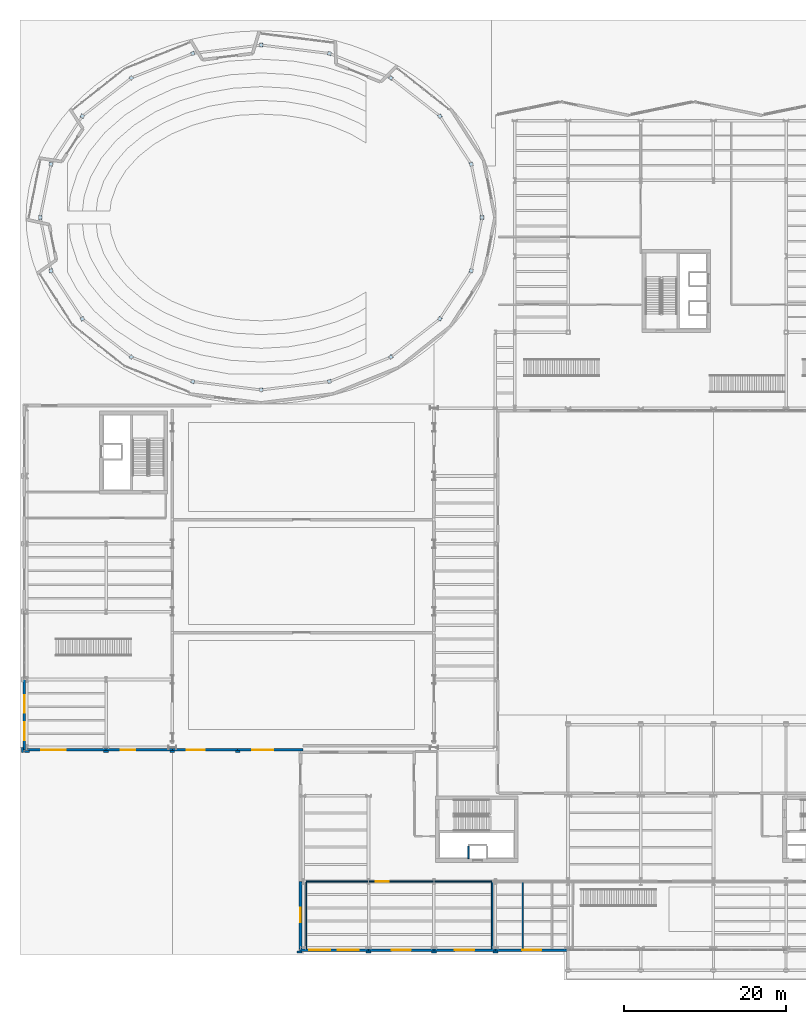
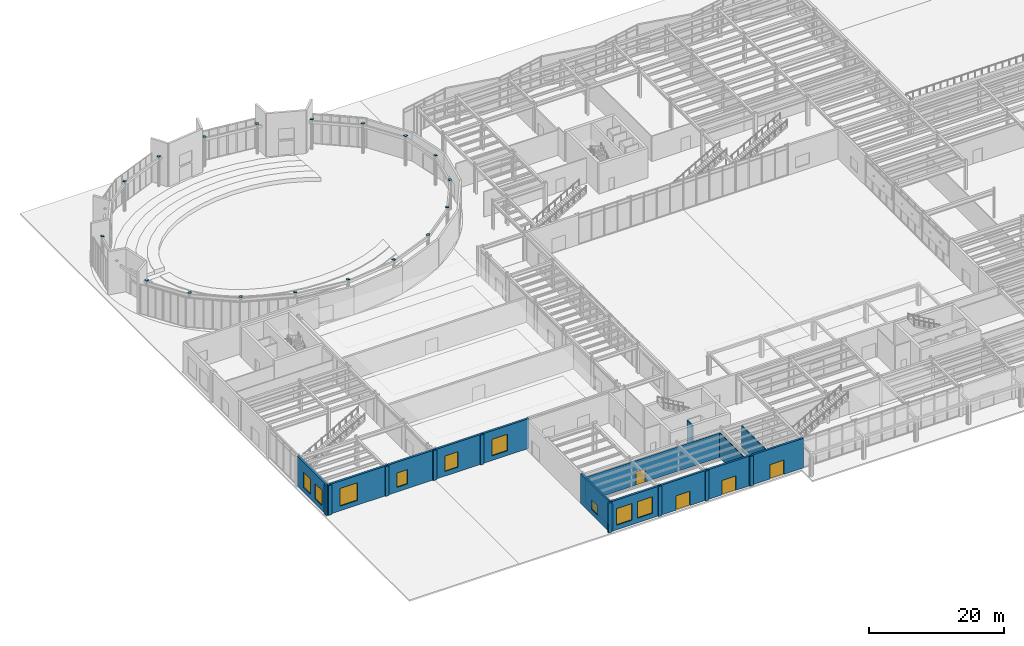
# One storey, part 70 of 94: 24 walls, 20 plates, 9 windows, 4 doors, 13 openings.
"""IFC4 building model written with IfcOpenShell, lengths in metres."""

from ifc_helpers import new_model, si_unit, direction, frame, frame_2d, origin, origin_2d, place, context, subcontext, project, spatial, rectangle, extrude, material, layer, layer_set, type_object, element, fill, save


model = new_model("IFC4")

# Units and contexts
model_context = context("Model", 3, precision=1e-05, world=origin(), true_north=direction((0.0, 1.0)))
body_context = subcontext(model_context, "Body", "Model", "MODEL_VIEW")
ifc_project = project(units=[si_unit("LENGTHUNIT", "METRE"), si_unit("AREAUNIT", "SQUARE_METRE"), si_unit("VOLUMEUNIT", "CUBIC_METRE"), si_unit("PLANEANGLEUNIT", "RADIAN"), si_unit("MASSUNIT", "GRAM", prefix="KILO")], contexts=[model_context])

# Site, building, storey
site_placement = place(None, origin())
site = spatial("IfcSite", under=ifc_project, at=site_placement, CompositionType="ELEMENT")
building_placement = place(site_placement, origin())
building = spatial("IfcBuilding", under=site, at=building_placement, Name="Sollismere Congress Hotel", CompositionType="ELEMENT")
storey_placement = place(building_placement, origin())
storey = spatial("IfcBuildingStorey", under=building, at=storey_placement, Name="L00", CompositionType="ELEMENT", Elevation=0.0)

# Plates
ifc_material_1 = material(Name="Steel ASTM A572 Grade 50", Category="steel")
ifc_layer_1 = layer(ifc_material_1, 0.02490234375, Name="Steel ASTM A572 Grade 50")
ifc_layer_set_1 = layer_set([ifc_layer_1], Name="Steel ASTM A572 Grade 50")
plate_type = type_object("IfcPlateType", Name="PL-GS25", PredefinedType="USERDEFINED", material=ifc_layer_set_1)
for number, where, z_axis, x_axis, name in (
    (1, (56.35009765625, 90.39990234375, 5.400146484375), (0.0, 0.0, 1.0), (1.0, 0.0, 0.0), "Column end cap plate CP-001"),
    (2, (55.011474609375, 96.99755859375, 5.400146484375), (0.0, 0.0, 1.0), (0.969316774365, 0.245814952628, 0.0), "Column end cap plate CP-004"),
    (3, (51.126708984375, 102.94921875, 5.400146484375), (0.0, 0.0, 1.0), (0.869839554062, 0.493334724289, 0.0), "Column end cap plate CP-007"),
    (4, (45.075927734375, 107.672607421875, 5.400146484375), (0.0, 0.0, 1.0), (0.681359873953, 0.731948578909, 0.0), "Column end cap plate CP-010"),
    (5, (37.45166015625, 110.705078125, 5.400146484375), (0.0, 0.0, 1.0), (0.38429532266, 0.923210217113, 0.0), "Column end cap plate CP-013"),
    (6, (29.0, 111.75, 5.400146484375), (0.0, 0.0, 1.0), (0.0, 1.0, 0.0), "Column end cap plate CP-016"),
    (7, (20.54833984375, 110.705078125, 5.400146484375), (0.0, 0.0, 1.0), (-0.38429532266, 0.923210217113, 0.0), "Column end cap plate CP-019"),
    (8, (12.924072265625, 107.672607421875, 5.400146484375), (0.0, 0.0, 1.0), (-0.681359873953, 0.731948578909, 0.0), "Column end cap plate CP-022"),
    (9, (6.873291015625, 102.94921875, 5.400146484375), (0.0, 0.0, 1.0), (-0.869839554062, 0.493334724289, 0.0), "Column end cap plate CP-025"),
    (10, (2.988525390625, 96.99755859375, 5.400146484375), (0.0, 0.0, 1.0), (-0.969316774365, 0.245814952628, 0.0), "Column end cap plate CP-028"),
    (11, (1.64990234375, 90.39990234375, 5.400146484375), (0.0, 0.0, 1.0), (-1.0, 0.0, 0.0), "Column end cap plate CP-031"),
    (12, (2.988525390625, 83.802490234375, 5.400146484375), (0.0, 0.0, 1.0), (-0.969316774365, -0.245814952628, 0.0), "Column end cap plate CP-034"),
    (13, (6.873291015625, 77.850830078125, 5.400146484375), (0.0, 0.0, 1.0), (-0.869839554062, -0.493334724289, 0.0), "Column end cap plate CP-037"),
    (14, (12.924072265625, 73.12744140625, 5.400146484375), (0.0, 0.0, 1.0), (-0.681359873953, -0.731948578909, 0.0), "Column end cap plate CP-040"),
    (15, (20.54833984375, 70.094970703125, 5.400146484375), (0.0, 0.0, 1.0), (-0.38429532266, -0.923210217113, 0.0), "Column end cap plate CP-043"),
    (16, (29.0, 69.050048828125, 5.400146484375), (0.0, 0.0, 1.0), (0.0, -1.0, 0.0), "Column end cap plate CP-046"),
    (17, (37.45166015625, 70.094970703125, 5.400146484375), (0.0, 0.0, 1.0), (0.38429532266, -0.923210217113, 0.0), "Column end cap plate CP-049"),
    (18, (45.075927734375, 73.12744140625, 5.400146484375), (0.0, 0.0, 1.0), (0.681359873953, -0.731948578909, 0.0), "Column end cap plate CP-052"),
    (19, (51.126708984375, 77.850830078125, 5.400146484375), (0.0, 0.0, 1.0), (0.869839554062, -0.493334724289, 0.0), "Column end cap plate CP-055"),
    (20, (55.011474609375, 83.802490234375, 5.400146484375), (0.0, 0.0, 1.0), (0.969316774365, -0.245814952628, 0.0), "Column end cap plate CP-058"),
):
    element("IfcPlate", number, at=place(storey_placement, frame(where, z_axis=z_axis, x_axis=x_axis)), inside=storey, type_object=plate_type, Name=name, ObjectType="GUSSET PLATE", PredefinedType="USERDEFINED", context=body_context, shape_type="SweptSolid", body=[
        extrude(rectangle(XDim=0.446044921875, YDim=0.446044921875, at=origin_2d()), origin(), (0.0, 0.0, 1.0), 0.02490234375),
    ])

# Wall, openings, windows
ifc_material_2 = material(Name="Colorado Buff Sandstone and Limestone Backup C40/50", Category="masonry")
ifc_layer_2 = layer(ifc_material_2, 0.340087890625, Name="Colorado Buff Sandstone and Limestone Backup C40/50")
ifc_layer_set_2 = layer_set([ifc_layer_2], Name="Colorado Buff Sandstone and Limestone Backup C40/50")
wall_type_1 = type_object("IfcWallType", Name="WL-EXT340", PredefinedType="STANDARD", material=ifc_layer_set_2)
wall_1_placement = place(storey_placement, frame((-0.31005859375, 24.47998046875, 0.0), z_axis=(0.0, 0.0, 1.0), x_axis=(0.0, 1.0, 0.0)))
wall_1 = element("IfcWall", 21, at=wall_1_placement, inside=storey, type_object=wall_type_1, Name="Exterior wall EW-L00-094", PredefinedType="STANDARD", context=body_context, shape_type="SweptSolid", body=[
    extrude(rectangle(XDim=8.719970703125, YDim=0.340087890625, at=frame_2d((4.35986328125, 0.0))), origin(), (0.0, 0.0, 1.0), 5.39990234375),
])
opening_1_placement = place(wall_1_placement, frame((1.199951171875, 0.0, 0.85009765625)))
opening_1 = element("IfcOpeningElement", 22, at=opening_1_placement, cuts=wall_1, Name="Opening W-L00-096", PredefinedType="OPENING", context=body_context, shape_type="SweptSolid", body=[
    extrude(rectangle(XDim=2.199951171875, YDim=2.800048828125, at=frame_2d((1.10009765625, 1.39990234375))), frame((0.0, 0.179931640625, 0.0), z_axis=(0.0, -1.0, 0.0), x_axis=(1.0, 0.0, 0.0)), (0.0, 0.0, 1.0), 0.360107421875),
])
opening_2_placement = place(wall_1_placement, frame((4.60009765625, 0.0, 0.85009765625)))
opening_2 = element("IfcOpeningElement", 23, at=opening_2_placement, cuts=wall_1, Name="Opening W-L00-097", PredefinedType="OPENING", context=body_context, shape_type="SweptSolid", body=[
    extrude(rectangle(XDim=2.199951171875, YDim=2.800048828125, at=frame_2d((1.10009765625, 1.39990234375))), frame((0.0, 0.179931640625, 0.0), z_axis=(0.0, -1.0, 0.0), x_axis=(1.0, 0.0, 0.0)), (0.0, 0.0, 1.0), 0.360107421875),
])
ifc_material_3 = material(Name="Thermally Broken Bronze Aluminum & Low-E Glass", Category="aluminium")
window_type_1 = type_object("IfcWindowType", Name="WN-A220x280", PartitioningType="SINGLE_PANEL", PredefinedType="WINDOW", material=ifc_material_3)
window_1_placement = place(opening_1_placement, origin())
window_1 = element("IfcWindow", 24, at=window_1_placement, inside=storey, type_object=window_type_1, Name="WIN-W-L00-096", OverallHeight=2.800048828125, OverallWidth=2.199951171875, PartitioningType="SINGLE_PANEL", PredefinedType="WINDOW", context=body_context, shape_type="SweptSolid", body=[
    extrude(rectangle(XDim=2.199951171875, YDim=2.800048828125, at=frame_2d((1.10009765625, 1.39990234375))), frame((0.0, 0.030029296875, 0.0), z_axis=(0.0, -1.0, 0.0), x_axis=(1.0, 0.0, 0.0)), (0.0, 0.0, 1.0), 0.06005859375),
])
fill(opening_1, window_1)
window_2_placement = place(opening_2_placement, origin())
window_2 = element("IfcWindow", 25, at=window_2_placement, inside=storey, type_object=window_type_1, Name="WIN-W-L00-097", OverallHeight=2.800048828125, OverallWidth=2.199951171875, PartitioningType="SINGLE_PANEL", PredefinedType="WINDOW", context=body_context, shape_type="SweptSolid", body=[
    extrude(rectangle(XDim=2.199951171875, YDim=2.800048828125, at=frame_2d((1.10009765625, 1.39990234375))), frame((0.0, 0.030029296875, 0.0), z_axis=(0.0, -1.0, 0.0), x_axis=(1.0, 0.0, 0.0)), (0.0, 0.0, 1.0), 0.06005859375),
])
fill(opening_2, window_2)

# Wall, opening, window
wall_2_placement = place(storey_placement, frame((0.0, 24.489990234375, 0.0), z_axis=(0.0, 0.0, 1.0), x_axis=(1.0, 0.0, 0.0)))
wall_2 = element("IfcWall", 26, at=wall_2_placement, inside=storey, type_object=wall_type_1, Name="Exterior wall EW-L00-103", PredefinedType="STANDARD", context=body_context, shape_type="SweptSolid", body=[
    extrude(rectangle(XDim=9.800048828125, YDim=0.340087890625, at=frame_2d((4.89990234375, 0.0))), origin(), (0.0, 0.0, 1.0), 5.39990234375),
])
opening_3_placement = place(wall_2_placement, frame((1.800048828125, 0.0, 0.85009765625)))
opening_3 = element("IfcOpeningElement", 27, at=opening_3_placement, cuts=wall_2, Name="Opening W-L00-100", PredefinedType="OPENING", context=body_context, shape_type="SweptSolid", body=[
    extrude(rectangle(XDim=3.0, YDim=3.199951171875, at=frame_2d((1.5, 1.60009765625))), frame((0.0, 0.179931640625, 0.0), z_axis=(0.0, -1.0, 0.0), x_axis=(1.0, 0.0, 0.0)), (0.0, 0.0, 1.0), 0.360107421875),
])
window_type_2 = type_object("IfcWindowType", Name="WN-A300x320", PartitioningType="SINGLE_PANEL", PredefinedType="WINDOW", material=ifc_material_3)
window_3_placement = place(opening_3_placement, origin())
window_3 = element("IfcWindow", 28, at=window_3_placement, inside=storey, type_object=window_type_2, Name="WIN-W-L00-100", OverallHeight=3.199951171875, OverallWidth=3.0, PartitioningType="SINGLE_PANEL", PredefinedType="WINDOW", context=body_context, shape_type="SweptSolid", body=[
    extrude(rectangle(XDim=3.0, YDim=3.199951171875, at=frame_2d((1.5, 1.60009765625))), frame((0.0, 0.030029296875, 0.0), z_axis=(0.0, -1.0, 0.0), x_axis=(1.0, 0.0, 0.0)), (0.0, 0.0, 1.0), 0.06005859375),
])
fill(opening_3, window_3)

wall_3_placement = place(storey_placement, frame((9.800048828125, 24.489990234375, 0.0), z_axis=(0.0, 0.0, 1.0), x_axis=(1.0, 0.0, 0.0)))
wall_3 = element("IfcWall", 29, at=wall_3_placement, inside=storey, type_object=wall_type_1, Name="Exterior wall EW-L00-105", PredefinedType="STANDARD", context=body_context, shape_type="SweptSolid", body=[
    extrude(rectangle(XDim=8.199951171875, YDim=0.340087890625, at=frame_2d((4.10009765625, 0.0))), origin(), (0.0, 0.0, 1.0), 5.39990234375),
])
opening_4_placement = place(wall_3_placement, frame((1.800048828125, 0.0, 0.85009765625)))
opening_4 = element("IfcOpeningElement", 30, at=opening_4_placement, cuts=wall_3, Name="Opening W-L00-101", PredefinedType="OPENING", context=body_context, shape_type="SweptSolid", body=[
    extrude(rectangle(XDim=1.800048828125, YDim=2.60009765625, at=frame_2d((0.89990234375, 1.300048828125))), frame((0.0, 0.179931640625, 0.0), z_axis=(0.0, -1.0, 0.0), x_axis=(1.0, 0.0, 0.0)), (0.0, 0.0, 1.0), 0.360107421875),
])
window_type_3 = type_object("IfcWindowType", Name="WN-A180x260", PartitioningType="SINGLE_PANEL", PredefinedType="WINDOW", material=ifc_material_3)
window_4_placement = place(opening_4_placement, origin())
window_4 = element("IfcWindow", 31, at=window_4_placement, inside=storey, type_object=window_type_3, Name="WIN-W-L00-101", OverallHeight=2.60009765625, OverallWidth=1.800048828125, PartitioningType="SINGLE_PANEL", PredefinedType="WINDOW", context=body_context, shape_type="SweptSolid", body=[
    extrude(rectangle(XDim=1.800048828125, YDim=2.60009765625, at=frame_2d((0.89990234375, 1.300048828125))), frame((0.0, 0.030029296875, 0.0), z_axis=(0.0, -1.0, 0.0), x_axis=(1.0, 0.0, 0.0)), (0.0, 0.0, 1.0), 0.06005859375),
])
fill(opening_4, window_4)

wall_4_placement = place(storey_placement, frame((18.0, 24.489990234375, 0.0), z_axis=(0.0, 0.0, 1.0), x_axis=(1.0, 0.0, 0.0)))
wall_4 = element("IfcWall", 32, at=wall_4_placement, inside=storey, type_object=wall_type_1, Name="Exterior wall EW-L00-107", PredefinedType="STANDARD", context=body_context, shape_type="SweptSolid", body=[
    extrude(rectangle(XDim=8.10009765625, YDim=0.340087890625, at=frame_2d((4.050048828125, 0.0))), origin(), (0.0, 0.0, 1.0), 5.39990234375),
])
opening_5_placement = place(wall_4_placement, frame((1.800048828125, 0.0, 0.85009765625)))
opening_5 = element("IfcOpeningElement", 33, at=opening_5_placement, cuts=wall_4, Name="Opening W-L00-102", PredefinedType="OPENING", context=body_context, shape_type="SweptSolid", body=[
    extrude(rectangle(XDim=2.199951171875, YDim=2.800048828125, at=frame_2d((1.10009765625, 1.39990234375))), frame((0.0, 0.179931640625, 0.0), z_axis=(0.0, -1.0, 0.0), x_axis=(1.0, 0.0, 0.0)), (0.0, 0.0, 1.0), 0.360107421875),
])
window_5_placement = place(opening_5_placement, origin())
window_5 = element("IfcWindow", 34, at=window_5_placement, inside=storey, type_object=window_type_1, Name="WIN-W-L00-102", OverallHeight=2.800048828125, OverallWidth=2.199951171875, PartitioningType="SINGLE_PANEL", PredefinedType="WINDOW", context=body_context, shape_type="SweptSolid", body=[
    extrude(rectangle(XDim=2.199951171875, YDim=2.800048828125, at=frame_2d((1.10009765625, 1.39990234375))), frame((0.0, 0.030029296875, 0.0), z_axis=(0.0, -1.0, 0.0), x_axis=(1.0, 0.0, 0.0)), (0.0, 0.0, 1.0), 0.06005859375),
])
fill(opening_5, window_5)

wall_5_placement = place(storey_placement, frame((26.10009765625, 24.489990234375, 0.0), z_axis=(0.0, 0.0, 1.0), x_axis=(1.0, 0.0, 0.0)))
wall_5 = element("IfcWall", 35, at=wall_5_placement, inside=storey, type_object=wall_type_1, Name="Exterior wall EW-L00-109", PredefinedType="STANDARD", context=body_context, shape_type="SweptSolid", body=[
    extrude(rectangle(XDim=8.099853515625, YDim=0.340087890625, at=frame_2d((4.0498046875, 0.0))), origin(), (0.0, 0.0, 1.0), 5.39990234375),
])
opening_6_placement = place(wall_5_placement, frame((1.800048828125, 0.0, 0.85009765625)))
opening_6 = element("IfcOpeningElement", 36, at=opening_6_placement, cuts=wall_5, Name="Opening W-L00-103", PredefinedType="OPENING", context=body_context, shape_type="SweptSolid", body=[
    extrude(rectangle(XDim=2.60009765625, YDim=3.0, at=frame_2d((1.300048828125, 1.5))), frame((0.0, 0.179931640625, 0.0), z_axis=(0.0, -1.0, 0.0), x_axis=(1.0, 0.0, 0.0)), (0.0, 0.0, 1.0), 0.360107421875),
])
window_type_4 = type_object("IfcWindowType", Name="WN-A260x300", PartitioningType="SINGLE_PANEL", PredefinedType="WINDOW", material=ifc_material_3)
window_6_placement = place(opening_6_placement, origin())
window_6 = element("IfcWindow", 37, at=window_6_placement, inside=storey, type_object=window_type_4, Name="WIN-W-L00-103", OverallHeight=3.0, OverallWidth=2.60009765625, PartitioningType="SINGLE_PANEL", PredefinedType="WINDOW", context=body_context, shape_type="SweptSolid", body=[
    extrude(rectangle(XDim=2.60009765625, YDim=3.0, at=frame_2d((1.300048828125, 1.5))), frame((0.0, 0.030029296875, 0.0), z_axis=(0.0, -1.0, 0.0), x_axis=(1.0, 0.0, 0.0)), (0.0, 0.0, 1.0), 0.06005859375),
])
fill(opening_6, window_6)

# Wall, openings, windows
wall_6_placement = place(storey_placement, frame((33.75, -0.31005859375, 0.0), z_axis=(0.0, 0.0, 1.0), x_axis=(1.0, 0.0, 0.0)))
wall_6 = element("IfcWall", 38, at=wall_6_placement, inside=storey, type_object=wall_type_1, Name="Exterior wall EW-L00-226", PredefinedType="STANDARD", context=body_context, shape_type="SweptSolid", body=[
    extrude(rectangle(XDim=8.550048828125, YDim=0.340087890625, at=frame_2d((4.27490234375, 0.0))), origin(), (0.0, 0.0, 1.0), 5.39990234375),
])
opening_7_placement = place(wall_6_placement, frame((1.199951171875, 0.0, 0.85009765625)))
opening_7 = element("IfcOpeningElement", 39, at=opening_7_placement, cuts=wall_6, Name="Opening W-L00-198", PredefinedType="OPENING", context=body_context, shape_type="SweptSolid", body=[
    extrude(rectangle(XDim=2.60009765625, YDim=3.0, at=frame_2d((1.300048828125, 1.5))), frame((0.0, 0.179931640625, 0.0), z_axis=(0.0, -1.0, 0.0), x_axis=(1.0, 0.0, 0.0)), (0.0, 0.0, 1.0), 0.360107421875),
])
opening_8_placement = place(wall_6_placement, frame((4.75, 0.0, 0.85009765625)))
opening_8 = element("IfcOpeningElement", 40, at=opening_8_placement, cuts=wall_6, Name="Opening W-L00-199", PredefinedType="OPENING", context=body_context, shape_type="SweptSolid", body=[
    extrude(rectangle(XDim=2.60009765625, YDim=3.0, at=frame_2d((1.300048828125, 1.5))), frame((0.0, 0.179931640625, 0.0), z_axis=(0.0, -1.0, 0.0), x_axis=(1.0, 0.0, 0.0)), (0.0, 0.0, 1.0), 0.360107421875),
])
window_7_placement = place(opening_7_placement, origin())
window_7 = element("IfcWindow", 41, at=window_7_placement, inside=storey, type_object=window_type_4, Name="WIN-W-L00-198", OverallHeight=3.0, OverallWidth=2.60009765625, PartitioningType="SINGLE_PANEL", PredefinedType="WINDOW", context=body_context, shape_type="SweptSolid", body=[
    extrude(rectangle(XDim=2.60009765625, YDim=3.0, at=frame_2d((1.300048828125, 1.5))), frame((0.0, 0.030029296875, 0.0), z_axis=(0.0, -1.0, 0.0), x_axis=(1.0, 0.0, 0.0)), (0.0, 0.0, 1.0), 0.06005859375),
])
fill(opening_7, window_7)
window_8_placement = place(opening_8_placement, origin())
window_8 = element("IfcWindow", 42, at=window_8_placement, inside=storey, type_object=window_type_4, Name="WIN-W-L00-199", OverallHeight=3.0, OverallWidth=2.60009765625, PartitioningType="SINGLE_PANEL", PredefinedType="WINDOW", context=body_context, shape_type="SweptSolid", body=[
    extrude(rectangle(XDim=2.60009765625, YDim=3.0, at=frame_2d((1.300048828125, 1.5))), frame((0.0, 0.030029296875, 0.0), z_axis=(0.0, -1.0, 0.0), x_axis=(1.0, 0.0, 0.0)), (0.0, 0.0, 1.0), 0.06005859375),
])
fill(opening_8, window_8)

# Wall, opening, door
wall_7_placement = place(storey_placement, frame((42.300048828125, -0.31005859375, 0.0), z_axis=(0.0, 0.0, 1.0), x_axis=(1.0, 0.0, 0.0)))
wall_7 = element("IfcWall", 43, at=wall_7_placement, inside=storey, type_object=wall_type_1, Name="Exterior wall EW-L00-228", PredefinedType="STANDARD", context=body_context, shape_type="SweptSolid", body=[
    extrude(rectangle(XDim=8.099853515625, YDim=0.340087890625, at=frame_2d((4.0498046875, 0.0))), origin(), (0.0, 0.0, 1.0), 5.39990234375),
])
opening_9_placement = place(wall_7_placement, frame((2.85009765625, 0.0, 0.0)))
opening_9 = element("IfcOpeningElement", 44, at=opening_9_placement, cuts=wall_7, Name="Opening D-L00-E16", PredefinedType="OPENING", context=body_context, shape_type="SweptSolid", body=[
    extrude(rectangle(XDim=2.39990234375, YDim=2.60009765625, at=frame_2d((1.199951171875, 1.300048828125))), frame((0.0, 0.179931640625, 0.0), z_axis=(0.0, -1.0, 0.0), x_axis=(1.0, 0.0, 0.0)), (0.0, 0.0, 1.0), 0.360107421875),
])
ifc_material_4 = material(Name="Thermally Broken Bronze-Anodized Aluminum & Laminated Glass", Category="aluminium")
door_type_1 = type_object("IfcDoorType", Name="DR-EX240", OperationType="DOUBLE_DOOR_SINGLE_SWING", PredefinedType="DOOR", material=ifc_material_4)
door_1_placement = place(opening_9_placement, frame((2.39990234375, 0.0, 0.0), z_axis=(0.0, 0.0, 1.0), x_axis=(-1.0, 0.0, 0.0)))
door_1 = element("IfcDoor", 45, at=door_1_placement, inside=storey, type_object=door_type_1, Name="DOR-D-L00-E16", OperationType="DOUBLE_DOOR_SINGLE_SWING", OverallHeight=2.60009765625, OverallWidth=2.39990234375, PredefinedType="DOOR", context=body_context, shape_type="SweptSolid", body=[
    extrude(rectangle(XDim=2.39990234375, YDim=2.60009765625, at=frame_2d((1.199951171875, 1.300048828125))), frame((0.0, 0.02490234375, 0.0), z_axis=(0.0, -1.0, 0.0), x_axis=(1.0, 0.0, 0.0)), (0.0, 0.0, 1.0), 0.050048828125),
])
fill(opening_9, door_1)

wall_8_placement = place(storey_placement, frame((50.39990234375, -0.31005859375, 0.0), z_axis=(0.0, 0.0, 1.0), x_axis=(1.0, 0.0, 0.0)))
wall_8 = element("IfcWall", 46, at=wall_8_placement, inside=storey, type_object=wall_type_1, Name="Exterior wall EW-L00-230", PredefinedType="STANDARD", context=body_context, shape_type="SweptSolid", body=[
    extrude(rectangle(XDim=7.60009765625, YDim=0.340087890625, at=frame_2d((3.800048828125, 0.0))), origin(), (0.0, 0.0, 1.0), 5.39990234375),
])
opening_10_placement = place(wall_8_placement, frame((2.60009765625, 0.0, 0.0)))
opening_10 = element("IfcOpeningElement", 47, at=opening_10_placement, cuts=wall_8, Name="Opening D-L00-E17", PredefinedType="OPENING", context=body_context, shape_type="SweptSolid", body=[
    extrude(rectangle(XDim=2.39990234375, YDim=2.60009765625, at=frame_2d((1.199951171875, 1.300048828125))), frame((0.0, 0.179931640625, 0.0), z_axis=(0.0, -1.0, 0.0), x_axis=(1.0, 0.0, 0.0)), (0.0, 0.0, 1.0), 0.360107421875),
])
door_2_placement = place(opening_10_placement, frame((2.39990234375, 0.0, 0.0), z_axis=(0.0, 0.0, 1.0), x_axis=(-1.0, 0.0, 0.0)))
door_2 = element("IfcDoor", 48, at=door_2_placement, inside=storey, type_object=door_type_1, Name="DOR-D-L00-E17", OperationType="DOUBLE_DOOR_SINGLE_SWING", OverallHeight=2.60009765625, OverallWidth=2.39990234375, PredefinedType="DOOR", context=body_context, shape_type="SweptSolid", body=[
    extrude(rectangle(XDim=2.39990234375, YDim=2.60009765625, at=frame_2d((1.199951171875, 1.300048828125))), frame((0.0, 0.02490234375, 0.0), z_axis=(0.0, -1.0, 0.0), x_axis=(1.0, 0.0, 0.0)), (0.0, 0.0, 1.0), 0.050048828125),
])
fill(opening_10, door_2)

wall_9_placement = place(storey_placement, frame((58.0, -0.31005859375, 0.0), z_axis=(0.0, 0.0, 1.0), x_axis=(1.0, 0.0, 0.0)))
wall_9 = element("IfcWall", 49, at=wall_9_placement, inside=storey, type_object=wall_type_1, Name="Exterior wall EW-L00-232", PredefinedType="STANDARD", context=body_context, shape_type="SweptSolid", body=[
    extrude(rectangle(XDim=9.0, YDim=0.340087890625, at=frame_2d((4.5, 0.0))), origin(), (0.0, 0.0, 1.0), 5.39990234375),
])
opening_11_placement = place(wall_9_placement, frame((3.300048828125, 0.0, 0.0)))
opening_11 = element("IfcOpeningElement", 50, at=opening_11_placement, cuts=wall_9, Name="Opening D-L00-E18", PredefinedType="OPENING", context=body_context, shape_type="SweptSolid", body=[
    extrude(rectangle(XDim=2.39990234375, YDim=2.60009765625, at=frame_2d((1.199951171875, 1.300048828125))), frame((0.0, 0.179931640625, 0.0), z_axis=(0.0, -1.0, 0.0), x_axis=(1.0, 0.0, 0.0)), (0.0, 0.0, 1.0), 0.360107421875),
])
door_3_placement = place(opening_11_placement, frame((2.39990234375, 0.0, 0.0), z_axis=(0.0, 0.0, 1.0), x_axis=(-1.0, 0.0, 0.0)))
door_3 = element("IfcDoor", 51, at=door_3_placement, inside=storey, type_object=door_type_1, Name="DOR-D-L00-E18", OperationType="DOUBLE_DOOR_SINGLE_SWING", OverallHeight=2.60009765625, OverallWidth=2.39990234375, PredefinedType="DOOR", context=body_context, shape_type="SweptSolid", body=[
    extrude(rectangle(XDim=2.39990234375, YDim=2.60009765625, at=frame_2d((1.199951171875, 1.300048828125))), frame((0.0, 0.02490234375, 0.0), z_axis=(0.0, -1.0, 0.0), x_axis=(1.0, 0.0, 0.0)), (0.0, 0.0, 1.0), 0.050048828125),
])
fill(opening_11, door_3)

# Wall, opening, window
wall_10_placement = place(storey_placement, frame((33.889892578125, 8.199951171875, 0.0), z_axis=(0.0, 0.0, 1.0), x_axis=(0.0, -1.0, 0.0)))
wall_10 = element("IfcWall", 52, at=wall_10_placement, inside=storey, type_object=wall_type_1, Name="Exterior wall EW-L00-270", PredefinedType="STANDARD", context=body_context, shape_type="SweptSolid", body=[
    extrude(rectangle(XDim=8.337890625, YDim=0.340087890625, at=frame_2d((4.1689453125, 0.0))), origin(), (0.0, 0.0, 1.0), 5.39990234375),
])
opening_12_placement = place(wall_10_placement, frame((3.26904296875, 0.0, 0.8798828125)))
opening_12 = element("IfcOpeningElement", 53, at=opening_12_placement, cuts=wall_10, Name="Opening W-L00-215", PredefinedType="OPENING", context=body_context, shape_type="SweptSolid", body=[
    extrude(rectangle(XDim=1.800048828125, YDim=1.800048828125, at=frame_2d((0.89990234375, 0.89990234375))), frame((0.0, 0.179931640625, 0.0), z_axis=(0.0, -1.0, 0.0), x_axis=(1.0, 0.0, 0.0)), (0.0, 0.0, 1.0), 0.360107421875),
])
window_type_5 = type_object("IfcWindowType", Name="WN-P180x180", PartitioningType="SINGLE_PANEL", PredefinedType="WINDOW", material=ifc_material_3)
window_9_placement = place(opening_12_placement, origin())
window_9 = element("IfcWindow", 54, at=window_9_placement, inside=storey, type_object=window_type_5, Name="WIN-W-L00-215", OverallHeight=1.800048828125, OverallWidth=1.800048828125, PartitioningType="SINGLE_PANEL", PredefinedType="WINDOW", context=body_context, shape_type="SweptSolid", body=[
    extrude(rectangle(XDim=1.800048828125, YDim=1.800048828125, at=frame_2d((0.89990234375, 0.89990234375))), frame((0.0, 0.030029296875, 0.0), z_axis=(0.0, -1.0, 0.0), x_axis=(1.0, 0.0, 0.0)), (0.0, 0.0, 1.0), 0.06005859375),
])
fill(opening_12, window_9)

# Walls
ifc_material_5 = material(Name="Carved Travertine Pilaster & Frieze Assembly", Category="masonry")
ifc_layer_3 = layer(ifc_material_5, 0.260009765625, Name="Carved Travertine Pilaster & Frieze Assembly")
ifc_layer_set_3 = layer_set([ifc_layer_3], Name="Carved Travertine Pilaster & Frieze Assembly")
wall_type_2 = type_object("IfcWallType", Name="WL-PIL280", PredefinedType="ELEMENTEDWALL", material=ifc_layer_set_3)
for number, where, z_axis, x_axis, name in (
    (55, (-0.52001953125, 24.179931640625, 0.0), (0.0, 0.0, 1.0), (0.0, 1.0, 0.0), "Exterior wall EW-L00-095"),
    (56, (-0.300048828125, 24.280029296875, 0.0), (0.0, 0.0, 1.0), (1.0, 0.0, 0.0), "Exterior wall EW-L00-104"),
    (57, (9.5, 24.280029296875, 0.0), (0.0, 0.0, 1.0), (1.0, 0.0, 0.0), "Exterior wall EW-L00-106"),
    (58, (17.699951171875, 24.280029296875, 0.0), (0.0, 0.0, 1.0), (1.0, 0.0, 0.0), "Exterior wall EW-L00-108"),
):
    element("IfcWall", number, at=place(storey_placement, frame(where, z_axis=z_axis, x_axis=x_axis)), inside=storey, type_object=wall_type_2, Name=name, PredefinedType="ELEMENTEDWALL", context=body_context, shape_type="SweptSolid", body=[
        extrude(rectangle(XDim=0.60009765625, YDim=0.260009765625, at=frame_2d((0.300048828125, 0.0))), origin(), (0.0, 0.0, 1.0), 5.39990234375),
    ])
wall_11_placement = place(storey_placement, frame((25.800048828125, 24.280029296875, 0.0), z_axis=(0.0, 0.0, 1.0), x_axis=(1.0, 0.0, 0.0)))
element("IfcWall", 59, at=wall_11_placement, inside=storey, type_object=wall_type_2, Name="Exterior wall EW-L00-110", PredefinedType="ELEMENTEDWALL", context=body_context, shape_type="SweptSolid", body=[
    extrude(rectangle(XDim=0.599853515625, YDim=0.260009765625, at=frame_2d((0.2998046875, 0.0))), origin(), (0.0, 0.0, 1.0), 5.39990234375),
])
for number, where, z_axis, x_axis, name in (
    (60, (33.449951171875, -0.52001953125, 0.0), (0.0, 0.0, 1.0), (1.0, 0.0, 0.0), "Exterior wall EW-L00-227"),
    (61, (42.0, -0.52001953125, 0.0), (0.0, 0.0, 1.0), (1.0, 0.0, 0.0), "Exterior wall EW-L00-229"),
):
    element("IfcWall", number, at=place(storey_placement, frame(where, z_axis=z_axis, x_axis=x_axis)), inside=storey, type_object=wall_type_2, Name=name, PredefinedType="ELEMENTEDWALL", context=body_context, shape_type="SweptSolid", body=[
        extrude(rectangle(XDim=0.60009765625, YDim=0.260009765625, at=frame_2d((0.300048828125, 0.0))), origin(), (0.0, 0.0, 1.0), 5.39990234375),
    ])
wall_12_placement = place(storey_placement, frame((50.10009765625, -0.52001953125, 0.0), z_axis=(0.0, 0.0, 1.0), x_axis=(1.0, 0.0, 0.0)))
element("IfcWall", 62, at=wall_12_placement, inside=storey, type_object=wall_type_2, Name="Exterior wall EW-L00-231", PredefinedType="ELEMENTEDWALL", context=body_context, shape_type="SweptSolid", body=[
    extrude(rectangle(XDim=0.599853515625, YDim=0.260009765625, at=frame_2d((0.2998046875, 0.0))), origin(), (0.0, 0.0, 1.0), 5.39990234375),
])
wall_13_placement = place(storey_placement, frame((57.699951171875, -0.52001953125, 0.0), z_axis=(0.0, 0.0, 1.0), x_axis=(1.0, 0.0, 0.0)))
element("IfcWall", 63, at=wall_13_placement, inside=storey, type_object=wall_type_2, Name="Exterior wall EW-L00-233", PredefinedType="ELEMENTEDWALL", context=body_context, shape_type="SweptSolid", body=[
    extrude(rectangle(XDim=0.60009765625, YDim=0.260009765625, at=frame_2d((0.300048828125, 0.0))), origin(), (0.0, 0.0, 1.0), 5.39990234375),
])
ifc_material_6 = material(Name="Moisture-Resistant Shaft Gypsum Assembly")
ifc_layer_4 = layer(ifc_material_6, 0.199951171875, Name="Moisture-Resistant Shaft Gypsum Assembly")
ifc_layer_set_4 = layer_set([ifc_layer_4], Name="Moisture-Resistant Shaft Gypsum Assembly")
wall_type_3 = type_object("IfcWallType", Name="WL-PLM200", PredefinedType="PLUMBINGWALL", material=ifc_layer_set_4)
wall_14_placement = place(storey_placement, frame((54.655029296875, 11.037109375, 0.0), z_axis=(0.0, 0.0, 1.0), x_axis=(0.0, 1.0, 0.0)))
element("IfcWall", 64, at=wall_14_placement, inside=storey, type_object=wall_type_3, Name="Interior wall IW-L00-0685", PredefinedType="PLUMBINGWALL", context=body_context, shape_type="SweptSolid", body=[
    extrude(rectangle(XDim=1.540771484375, YDim=0.199951171875, at=frame_2d((0.7705078125, 0.0))), origin(), (0.0, 0.0, 1.0), 5.090087890625),
])

# Wall, opening, door
ifc_material_7 = material(Name="Fire-Rated Gypsum Partition")
ifc_layer_5 = layer(ifc_material_7, 0.139892578125, Name="Fire-Rated Gypsum Partition")
ifc_layer_set_5 = layer_set([ifc_layer_5], Name="Fire-Rated Gypsum Partition")
wall_type_4 = type_object("IfcWallType", Name="WL-PRT140R", PredefinedType="PARTITIONING", material=ifc_layer_set_5)
wall_15_placement = place(storey_placement, frame((34.60009765625, 8.199951171875, 0.0), z_axis=(0.0, 0.0, 1.0), x_axis=(1.0, 0.0, 0.0)))
wall_15 = element("IfcWall", 65, at=wall_15_placement, inside=storey, type_object=wall_type_4, Name="Interior wall IW-L00-0773", PredefinedType="PARTITIONING", context=body_context, shape_type="SweptSolid", body=[
    extrude(rectangle(XDim=23.0, YDim=0.139892578125, at=frame_2d((11.5, 0.0))), origin(), (0.0, 0.0, 1.0), 4.4189453125),
])
opening_13_placement = place(wall_15_placement, frame((8.60009765625, 0.0, 0.0)))
opening_13 = element("IfcOpeningElement", 66, at=opening_13_placement, cuts=wall_15, Name="Opening D-L00-0256", PredefinedType="OPENING", context=body_context, shape_type="SweptSolid", body=[
    extrude(rectangle(XDim=1.60009765625, YDim=2.39990234375, at=frame_2d((0.800048828125, 1.199951171875))), frame((0.0, 0.079833984375, 0.0), z_axis=(0.0, -1.0, 0.0), x_axis=(1.0, 0.0, 0.0)), (0.0, 0.0, 1.0), 0.159912109375),
])
ifc_material_8 = material(Name="Acoustic Oak Double Meeting Door")
door_type_2 = type_object("IfcDoorType", Name="DR-MT160", OperationType="NOTDEFINED", PredefinedType="DOOR", material=ifc_material_8)
door_4_placement = place(opening_13_placement, origin())
door_4 = element("IfcDoor", 67, at=door_4_placement, inside=storey, type_object=door_type_2, Name="Interior door D-L00-0256", OperationType="DOUBLE_DOOR_SINGLE_SWING", OverallHeight=2.39990234375, OverallWidth=1.60009765625, PredefinedType="DOOR", context=body_context, shape_type="SweptSolid", body=[
    extrude(rectangle(XDim=1.60009765625, YDim=2.39990234375, at=frame_2d((0.800048828125, 1.199951171875))), frame((0.0, 0.02490234375, 0.0), z_axis=(0.0, -1.0, 0.0), x_axis=(1.0, 0.0, 0.0)), (0.0, 0.0, 1.0), 0.050048828125),
])
fill(opening_13, door_4)

# Walls
wall_16_placement = place(storey_placement, frame((34.60009765625, -0.125, 0.0), z_axis=(0.0, 0.0, 1.0), x_axis=(0.0, 1.0, 0.0)))
element("IfcWall", 68, at=wall_16_placement, inside=storey, type_object=wall_type_4, Name="Interior wall IW-L00-0814", PredefinedType="PARTITIONING", context=body_context, shape_type="SweptSolid", body=[
    extrude(rectangle(XDim=8.242919921875, YDim=0.139892578125, at=frame_2d((4.12158203125, 0.0))), origin(), (0.0, 0.0, 1.0), 4.47998046875),
])
ifc_material_9 = material(Name="Fire-Rated Acoustic Gypsum Partition")
ifc_layer_6 = layer(ifc_material_9, 0.1650390625, Name="Fire-Rated Acoustic Gypsum Partition")
ifc_layer_set_6 = layer_set([ifc_layer_6], Name="Fire-Rated Acoustic Gypsum Partition")
wall_type_5 = type_object("IfcWallType", Name="WL-PRT165R", PredefinedType="PARTITIONING", material=ifc_layer_set_6)
wall_17_placement = place(storey_placement, frame((57.60009765625, -0.125, 0.0), z_axis=(0.0, 0.0, 1.0), x_axis=(0.0, 1.0, 0.0)))
element("IfcWall", 69, at=wall_17_placement, inside=storey, type_object=wall_type_5, Name="Interior wall IW-L00-0820", PredefinedType="PARTITIONING", context=body_context, shape_type="SweptSolid", body=[
    extrude(rectangle(XDim=8.23046875, YDim=0.1650390625, at=frame_2d((4.115234375, 0.0))), origin(), (0.0, 0.0, 1.0), 4.5029296875),
])
wall_18_placement = place(storey_placement, frame((61.39990234375, -0.125, 0.0), z_axis=(0.0, 0.0, 1.0), x_axis=(0.0, 1.0, 0.0)))
element("IfcWall", 70, at=wall_18_placement, inside=storey, type_object=wall_type_5, Name="Interior wall IW-L00-0821", PredefinedType="PARTITIONING", context=body_context, shape_type="SweptSolid", body=[
    extrude(rectangle(XDim=8.23046875, YDim=0.1650390625, at=frame_2d((4.115234375, 0.0))), origin(), (0.0, 0.0, 1.0), 4.47998046875),
])

save(model, "model.ifc")
